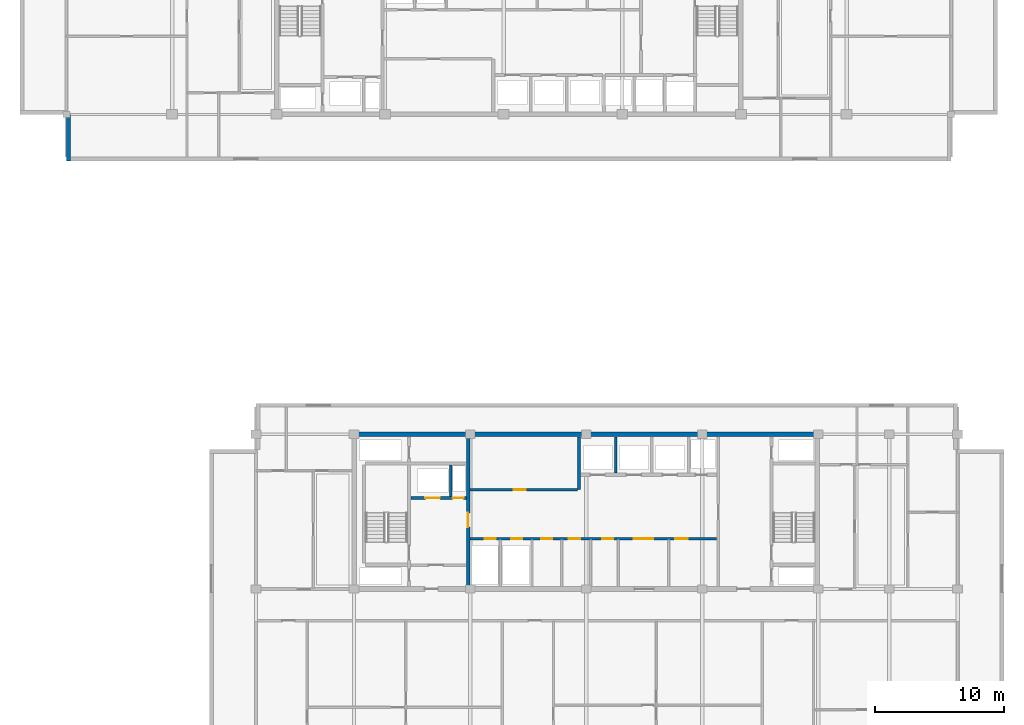
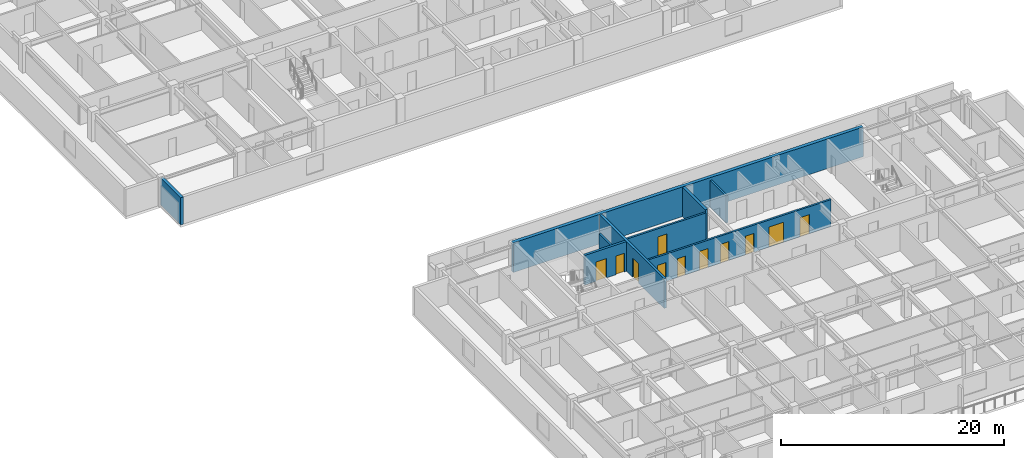
# One storey, part 7 of 24: 11 doors, 9 walls, 11 openings.
"""IFC4 building model written with IfcOpenShell, lengths in metres."""

from ifc_helpers import new_model, si_unit, direction, frame, frame_2d, origin, place, context, subcontext, project, spatial, rectangle, extrude, material, layer, layer_set, type_object, element, fill, save


model = new_model("IFC4")

# Units and contexts
model_context = context("Model", 3, precision=1e-05, world=origin(), true_north=direction((0.0, 1.0)))
body_context = subcontext(model_context, "Body", "Model", "MODEL_VIEW")
ifc_project = project(units=[si_unit("LENGTHUNIT", "METRE"), si_unit("AREAUNIT", "SQUARE_METRE"), si_unit("VOLUMEUNIT", "CUBIC_METRE"), si_unit("PLANEANGLEUNIT", "RADIAN"), si_unit("MASSUNIT", "GRAM", prefix="KILO")], contexts=[model_context])

# Site, building, storey
site_placement = place(None, origin())
site = spatial("IfcSite", under=ifc_project, at=site_placement, CompositionType="ELEMENT")
building_placement = place(site_placement, origin())
building = spatial("IfcBuilding", under=site, at=building_placement, Name="Korimba Cascade Residences", CompositionType="ELEMENT")
storey_placement = place(building_placement, frame((0.0, 0.0, 168.60009765625)))
storey = spatial("IfcBuildingStorey", under=building, at=storey_placement, Name="L48", CompositionType="ELEMENT", Elevation=168.60009765625)

# Walls
ifc_material_1 = material(Name="Precast concrete C40/50", Category="concrete")
ifc_layer_1 = layer(ifc_material_1, 0.300048828125)
ifc_layer_set_1 = layer_set([ifc_layer_1], Name="Precast concrete C40/50")
wall_type_1 = type_object("IfcWallType", Name="EW-STONE-300", PredefinedType="STANDARD", material=ifc_layer_set_1)
wall_1_placement = place(storey_placement, frame((59.949951171875, 55.199951171875, 0.0), z_axis=(0.0, 0.0, 1.0), x_axis=(0.0, -1.0, 0.0)))
element("IfcWall", 1, at=wall_1_placement, inside=storey, type_object=wall_type_1, Name="L48 T1 Perimeter Stone Wall E11", PredefinedType="STANDARD", context=body_context, shape_type="SweptSolid", body=[
    extrude(rectangle(XDim=3.599853515625, YDim=0.300048828125, at=frame_2d((1.7998046875, 0.0))), origin(), (0.0, 0.0, 1.0), 2.969970703125),
])
ifc_material_2 = material(Name="Concrete C65/80", Category="concrete")
ifc_layer_2 = layer(ifc_material_2, 0.35009765625)
ifc_layer_set_2 = layer_set([ifc_layer_2], Name="Concrete C65/80")
wall_type_2 = type_object("IfcWallType", Name="WAL-CORE-350", PredefinedType="SHEAR", material=ifc_layer_set_2)
wall_2_placement = place(storey_placement, frame((81.925048828125, 30.39990234375, 0.0), z_axis=(0.0, 0.0, 1.0), x_axis=(1.0, 0.0, 0.0)))
element("IfcWall", 2, at=wall_2_placement, inside=storey, type_object=wall_type_2, Name="L48 Core Shear Wall CW-L48-T2-N", PredefinedType="SHEAR", context=body_context, shape_type="SweptSolid", body=[
    extrude(rectangle(XDim=36.264892578125, YDim=0.35009765625, at=frame_2d((18.13232421875, 0.0))), origin(), (0.0, 0.0, 1.0), 3.25),
])
ifc_material_3 = material(Name="Concrete C40/50", Category="concrete")
ifc_layer_3 = layer(ifc_material_3, 0.199951171875)
ifc_layer_set_3 = layer_set([ifc_layer_3], Name="Concrete C40/50")
wall_type_3 = type_object("IfcWallType", Name="WAL-PART-200", PredefinedType="PARTITIONING", material=ifc_layer_set_3)
wall_3_placement = place(storey_placement, frame((89.60009765625, 25.580078125, 0.0), z_axis=(0.0, 0.0, 1.0), x_axis=(0.0, 1.0, 0.0)))
element("IfcWall", 3, at=wall_3_placement, inside=storey, type_object=wall_type_3, Name="L48 Partition Wall CW-L48-T2-FFLDIV", PredefinedType="PARTITIONING", context=body_context, shape_type="SweptSolid", body=[
    extrude(rectangle(XDim=2.419921875, YDim=0.199951171875, at=frame_2d((1.2099609375, 0.0))), origin(), (0.0, 0.0, 1.0), 2.969970703125),
])

# Wall, opening, door
wall_4_placement = place(storey_placement, frame((91.080078125, 26.10009765625, 0.0), z_axis=(0.0, 0.0, 1.0), x_axis=(1.0, 0.0, 0.0)))
wall_4 = element("IfcWall", 4, at=wall_4_placement, inside=storey, type_object=wall_type_3, Name="L48 Partition Wall CW-L48-T2-B1RS", PredefinedType="PARTITIONING", context=body_context, shape_type="SweptSolid", body=[
    extrude(rectangle(XDim=8.33984375, YDim=0.199951171875, at=frame_2d((4.169921875, 0.0))), origin(), (0.0, 0.0, 1.0), 2.969970703125),
])
opening_1_placement = place(wall_4_placement, frame((3.39990234375, 0.0, 0.0)))
opening_1 = element("IfcOpeningElement", 5, at=opening_1_placement, cuts=wall_4, Name="Opening D-ST1", PredefinedType="OPENING", context=body_context, shape_type="SweptSolid", body=[
    extrude(rectangle(XDim=0.919921875, YDim=2.080078125, at=frame_2d((0.4599609375, 1.0400390625))), frame((0.0, 0.10986328125, 0.0), z_axis=(0.0, -1.0, 0.0), x_axis=(1.0, 0.0, 0.0)), (0.0, 0.0, 1.0), 0.219970703125),
])
ifc_material_4 = material(Name="Fire-Rated Core Store Door", Category="wood")
door_type_1 = type_object("IfcDoorType", Name="DR-FD60-920", OperationType="NOTDEFINED", PredefinedType="DOOR", material=ifc_material_4)
door_1_placement = place(opening_1_placement, origin())
door_1 = element("IfcDoor", 6, at=door_1_placement, inside=storey, type_object=door_type_1, Name="L48 T2 Resident Storage Door", OperationType="SINGLE_SWING_RIGHT", OverallHeight=2.080078125, OverallWidth=0.919921875, PredefinedType="DOOR", context=body_context, shape_type="SweptSolid", body=[
    extrude(rectangle(XDim=0.919921875, YDim=2.080078125, at=frame_2d((0.4599609375, 1.0400390625))), frame((0.0, 0.02490234375, 0.0), z_axis=(0.0, -1.0, 0.0), x_axis=(1.0, 0.0, 0.0)), (0.0, 0.0, 1.0), 0.050048828125),
])
fill(opening_1, door_1)

# Wall
wall_5_placement = place(storey_placement, frame((102.39990234375, 27.3798828125, 0.0), z_axis=(0.0, 0.0, 1.0), x_axis=(0.0, 1.0, 0.0)))
element("IfcWall", 7, at=wall_5_placement, inside=storey, type_object=wall_type_3, Name="L48 Partition Wall CW-L48-T2-B2D1", PredefinedType="PARTITIONING", context=body_context, shape_type="SweptSolid", body=[
    extrude(rectangle(XDim=2.820068359375, YDim=0.199951171875, at=frame_2d((1.41015625, 0.0))), origin(), (0.0, 0.0, 1.0), 2.969970703125),
])

# Wall, openings, doors
wall_6_placement = place(storey_placement, frame((91.080078125, 22.300048828125, 0.0), z_axis=(0.0, 0.0, 1.0), x_axis=(1.0, 0.0, 0.0)))
wall_6 = element("IfcWall", 8, at=wall_6_placement, inside=storey, type_object=wall_type_3, Name="L48 Partition Wall CW-L48-T2-SRVROW", PredefinedType="PARTITIONING", context=body_context, shape_type="SweptSolid", body=[
    extrude(rectangle(XDim=19.139892578125, YDim=0.199951171875, at=frame_2d((9.56982421875, 0.0))), origin(), (0.0, 0.0, 1.0), 2.969970703125),
])
opening_2_placement = place(wall_6_placement, frame((1.14990234375, 0.0, 0.0)))
opening_2 = element("IfcOpeningElement", 9, at=opening_2_placement, cuts=wall_6, Name="Opening D-RS1", PredefinedType="OPENING", context=body_context, shape_type="SweptSolid", body=[
    extrude(rectangle(XDim=0.85009765625, YDim=2.050048828125, at=frame_2d((0.425048828125, 1.02490234375))), frame((0.0, 0.10986328125, 0.0), z_axis=(0.0, -1.0, 0.0), x_axis=(1.0, 0.0, 0.0)), (0.0, 0.0, 1.0), 0.219970703125),
])
opening_3_placement = place(wall_6_placement, frame((3.199951171875, 0.0, 0.0)))
opening_3 = element("IfcOpeningElement", 10, at=opening_3_placement, cuts=wall_6, Name="Opening D-RS1", PredefinedType="OPENING", context=body_context, shape_type="SweptSolid", body=[
    extrude(rectangle(XDim=0.85009765625, YDim=2.050048828125, at=frame_2d((0.425048828125, 1.02490234375))), frame((0.0, 0.10986328125, 0.0), z_axis=(0.0, -1.0, 0.0), x_axis=(1.0, 0.0, 0.0)), (0.0, 0.0, 1.0), 0.219970703125),
])
opening_4_placement = place(wall_6_placement, frame((12.719970703125, 0.0, 0.0)))
opening_4 = element("IfcOpeningElement", 11, at=opening_4_placement, cuts=wall_6, Name="Opening D-FD8", PredefinedType="OPENING", context=body_context, shape_type="SweptSolid", body=[
    extrude(rectangle(XDim=1.5, YDim=2.199951171875, at=frame_2d((0.75, 1.10009765625))), frame((0.0, 0.10986328125, 0.0), z_axis=(0.0, -1.0, 0.0), x_axis=(1.0, 0.0, 0.0)), (0.0, 0.0, 1.0), 0.219970703125),
])
opening_5_placement = place(wall_6_placement, frame((5.52001953125, 0.0, 0.0)))
opening_5 = element("IfcOpeningElement", 12, at=opening_5_placement, cuts=wall_6, Name="Opening D-IN2", PredefinedType="OPENING", context=body_context, shape_type="SweptSolid", body=[
    extrude(rectangle(XDim=0.8798828125, YDim=2.06005859375, at=frame_2d((0.43994140625, 1.030029296875))), frame((0.0, 0.10986328125, 0.0), z_axis=(0.0, -1.0, 0.0), x_axis=(1.0, 0.0, 0.0)), (0.0, 0.0, 1.0), 0.219970703125),
])
opening_6_placement = place(wall_6_placement, frame((7.669921875, 0.0, 0.0)))
opening_6 = element("IfcOpeningElement", 13, at=opening_6_placement, cuts=wall_6, Name="Opening D-IN2", PredefinedType="OPENING", context=body_context, shape_type="SweptSolid", body=[
    extrude(rectangle(XDim=0.8798828125, YDim=2.06005859375, at=frame_2d((0.43994140625, 1.030029296875))), frame((0.0, 0.10986328125, 0.0), z_axis=(0.0, -1.0, 0.0), x_axis=(1.0, 0.0, 0.0)), (0.0, 0.0, 1.0), 0.219970703125),
])
opening_7_placement = place(wall_6_placement, frame((10.27001953125, 0.0, 0.0)))
opening_7 = element("IfcOpeningElement", 14, at=opening_7_placement, cuts=wall_6, Name="Opening D-RS1", PredefinedType="OPENING", context=body_context, shape_type="SweptSolid", body=[
    extrude(rectangle(XDim=0.85009765625, YDim=2.050048828125, at=frame_2d((0.425048828125, 1.02490234375))), frame((0.0, 0.10986328125, 0.0), z_axis=(0.0, -1.0, 0.0), x_axis=(1.0, 0.0, 0.0)), (0.0, 0.0, 1.0), 0.219970703125),
])
opening_8_placement = place(wall_6_placement, frame((15.919921875, 0.0, 0.0)))
opening_8 = element("IfcOpeningElement", 15, at=opening_8_placement, cuts=wall_6, Name="Opening D-AC1", PredefinedType="OPENING", context=body_context, shape_type="SweptSolid", body=[
    extrude(rectangle(XDim=0.9599609375, YDim=2.10009765625, at=frame_2d((0.47998046875, 1.050048828125))), frame((0.0, 0.10986328125, 0.0), z_axis=(0.0, -1.0, 0.0), x_axis=(1.0, 0.0, 0.0)), (0.0, 0.0, 1.0), 0.219970703125),
])
ifc_material_5 = material(Name="Accessible Acoustic Timber WC Door", Category="wood")
door_type_2 = type_object("IfcDoorType", Name="DR-ACC-950", OperationType="NOTDEFINED", PredefinedType="DOOR", material=ifc_material_5)
door_2_placement = place(opening_8_placement, origin())
door_2 = element("IfcDoor", 16, at=door_2_placement, inside=storey, type_object=door_type_2, Name="L48 T2 Accessible Staff WC Door", OperationType="SINGLE_SWING_LEFT", OverallHeight=2.10009765625, OverallWidth=0.9599609375, PredefinedType="DOOR", context=body_context, shape_type="SweptSolid", body=[
    extrude(rectangle(XDim=0.9599609375, YDim=2.10009765625, at=frame_2d((0.47998046875, 1.050048828125))), frame((0.0, 0.02490234375, 0.0), z_axis=(0.0, -1.0, 0.0), x_axis=(1.0, 0.0, 0.0)), (0.0, 0.0, 1.0), 0.050048828125),
])
fill(opening_8, door_2)
ifc_material_6 = material(Name="Fire-Rated Steel Riser Access Door", Category="steel")
door_type_3 = type_object("IfcDoorType", Name="DR-FD60-850", OperationType="NOTDEFINED", PredefinedType="DOOR", material=ifc_material_6)
door_3_placement = place(opening_2_placement, origin())
door_3 = element("IfcDoor", 17, at=door_3_placement, inside=storey, type_object=door_type_3, Name="L48 T2 Electrical Riser Door", OperationType="SINGLE_SWING_RIGHT", OverallHeight=2.050048828125, OverallWidth=0.85009765625, PredefinedType="DOOR", context=body_context, shape_type="SweptSolid", body=[
    extrude(rectangle(XDim=0.85009765625, YDim=2.050048828125, at=frame_2d((0.425048828125, 1.02490234375))), frame((0.0, 0.02490234375, 0.0), z_axis=(0.0, -1.0, 0.0), x_axis=(1.0, 0.0, 0.0)), (0.0, 0.0, 1.0), 0.050048828125),
])
fill(opening_2, door_3)
door_4_placement = place(opening_3_placement, origin())
door_4 = element("IfcDoor", 18, at=door_4_placement, inside=storey, type_object=door_type_3, Name="L48 T2 Plumbing Riser Door", OperationType="SINGLE_SWING_LEFT", OverallHeight=2.050048828125, OverallWidth=0.85009765625, PredefinedType="DOOR", context=body_context, shape_type="SweptSolid", body=[
    extrude(rectangle(XDim=0.85009765625, YDim=2.050048828125, at=frame_2d((0.425048828125, 1.02490234375))), frame((0.0, 0.02490234375, 0.0), z_axis=(0.0, -1.0, 0.0), x_axis=(1.0, 0.0, 0.0)), (0.0, 0.0, 1.0), 0.050048828125),
])
fill(opening_3, door_4)
door_5_placement = place(opening_7_placement, origin())
door_5 = element("IfcDoor", 19, at=door_5_placement, inside=storey, type_object=door_type_3, Name="L48 T2 IT Room Door", OperationType="SINGLE_SWING_RIGHT", OverallHeight=2.050048828125, OverallWidth=0.85009765625, PredefinedType="DOOR", context=body_context, shape_type="SweptSolid", body=[
    extrude(rectangle(XDim=0.85009765625, YDim=2.050048828125, at=frame_2d((0.425048828125, 1.02490234375))), frame((0.0, 0.02490234375, 0.0), z_axis=(0.0, -1.0, 0.0), x_axis=(1.0, 0.0, 0.0)), (0.0, 0.0, 1.0), 0.050048828125),
])
fill(opening_7, door_5)
ifc_material_7 = material(Name="Fire-Rated Glazed Lift Lobby Double Door", Category="glass")
door_type_4 = type_object("IfcDoorType", Name="DR-FD90-1500", OperationType="NOTDEFINED", PredefinedType="DOOR", material=ifc_material_7)
door_6_placement = place(opening_4_placement, origin())
door_6 = element("IfcDoor", 20, at=door_6_placement, inside=storey, type_object=door_type_4, Name="L48 T2 Lift Lobby Foyer Door", OperationType="DOUBLE_DOOR_SINGLE_SWING", OverallHeight=2.199951171875, OverallWidth=1.5, PredefinedType="DOOR", context=body_context, shape_type="SweptSolid", body=[
    extrude(rectangle(XDim=1.5, YDim=2.199951171875, at=frame_2d((0.75, 1.10009765625))), frame((0.0, 0.02490234375, 0.0), z_axis=(0.0, -1.0, 0.0), x_axis=(1.0, 0.0, 0.0)), (0.0, 0.0, 1.0), 0.050048828125),
])
fill(opening_4, door_6)
ifc_material_8 = material(Name="Acoustic Timber Bedroom Door", Category="wood")
door_type_5 = type_object("IfcDoorType", Name="DR-INT-880", OperationType="NOTDEFINED", PredefinedType="DOOR", material=ifc_material_8)
door_7_placement = place(opening_5_placement, origin())
door_7 = element("IfcDoor", 21, at=door_7_placement, inside=storey, type_object=door_type_5, Name="L48 T2 Cleaners Door", OperationType="SINGLE_SWING_RIGHT", OverallHeight=2.06005859375, OverallWidth=0.8798828125, PredefinedType="DOOR", context=body_context, shape_type="SweptSolid", body=[
    extrude(rectangle(XDim=0.8798828125, YDim=2.06005859375, at=frame_2d((0.43994140625, 1.030029296875))), frame((0.0, 0.02490234375, 0.0), z_axis=(0.0, -1.0, 0.0), x_axis=(1.0, 0.0, 0.0)), (0.0, 0.0, 1.0), 0.050048828125),
])
fill(opening_5, door_7)
door_8_placement = place(opening_6_placement, origin())
door_8 = element("IfcDoor", 22, at=door_8_placement, inside=storey, type_object=door_type_5, Name="L48 T2 Pantry Door", OperationType="SINGLE_SWING_LEFT", OverallHeight=2.06005859375, OverallWidth=0.8798828125, PredefinedType="DOOR", context=body_context, shape_type="SweptSolid", body=[
    extrude(rectangle(XDim=0.8798828125, YDim=2.06005859375, at=frame_2d((0.43994140625, 1.030029296875))), frame((0.0, 0.02490234375, 0.0), z_axis=(0.0, -1.0, 0.0), x_axis=(1.0, 0.0, 0.0)), (0.0, 0.0, 1.0), 0.050048828125),
])
fill(opening_6, door_8)

ifc_material_9 = material(Name="Concrete C50/60", Category="concrete")
ifc_layer_4 = layer(ifc_material_9, 0.25)
ifc_layer_set_4 = layer_set([ifc_layer_4], Name="Concrete C50/60")
wall_type_4 = type_object("IfcWallType", Name="WAL-SHAFT-250", PredefinedType="SHEAR", material=ifc_layer_set_4)
wall_7_placement = place(storey_placement, frame((86.5, 25.449951171875, 0.0), z_axis=(0.0, 0.0, 1.0), x_axis=(1.0, 0.0, 0.0)))
wall_7 = element("IfcWall", 23, at=wall_7_placement, inside=storey, type_object=wall_type_4, Name="L48 Core Shear Wall CW-L48-T2-FFLN", PredefinedType="SHEAR", context=body_context, shape_type="SweptSolid", body=[
    extrude(rectangle(XDim=4.320068359375, YDim=0.25, at=frame_2d((2.16015625, 0.0))), origin(), (0.0, 0.0, 1.0), 3.25),
])
opening_9_placement = place(wall_7_placement, frame((1.139892578125, 0.0, 0.0)))
opening_9 = element("IfcOpeningElement", 24, at=opening_9_placement, cuts=wall_7, Name="Opening LD-01", PredefinedType="OPENING", context=body_context, shape_type="SweptSolid", body=[
    extrude(rectangle(XDim=1.1201171875, YDim=2.1201171875, at=frame_2d((0.56005859375, 1.06005859375))), frame((0.0, 0.135009765625, 0.0), z_axis=(0.0, -1.0, 0.0), x_axis=(1.0, 0.0, 0.0)), (0.0, 0.0, 1.0), 0.27001953125),
])
opening_10_placement = place(wall_7_placement, frame((3.25, 0.0, 0.0)))
opening_10 = element("IfcOpeningElement", 25, at=opening_10_placement, cuts=wall_7, Name="Opening D-RS1", PredefinedType="OPENING", context=body_context, shape_type="SweptSolid", body=[
    extrude(rectangle(XDim=0.85009765625, YDim=2.050048828125, at=frame_2d((0.425048828125, 1.02490234375))), frame((0.0, 0.135009765625, 0.0), z_axis=(0.0, -1.0, 0.0), x_axis=(1.0, 0.0, 0.0)), (0.0, 0.0, 1.0), 0.27001953125),
])
door_9_placement = place(opening_10_placement, origin())
door_9 = element("IfcDoor", 26, at=door_9_placement, inside=storey, type_object=door_type_3, Name="L48 T2 Pressurisation Riser Door", OperationType="SINGLE_SWING_LEFT", OverallHeight=2.050048828125, OverallWidth=0.85009765625, PredefinedType="DOOR", context=body_context, shape_type="SweptSolid", body=[
    extrude(rectangle(XDim=0.85009765625, YDim=2.050048828125, at=frame_2d((0.425048828125, 1.02490234375))), frame((0.0, 0.02490234375, 0.0), z_axis=(0.0, -1.0, 0.0), x_axis=(1.0, 0.0, 0.0)), (0.0, 0.0, 1.0), 0.050048828125),
])
fill(opening_10, door_9)
ifc_material_10 = material(Name="Stainless Steel Lift Landing Sliding Door", Category="steel")
door_type_6 = type_object("IfcDoorType", Name="DR-LIFT-1100", OperationType="NOTDEFINED", PredefinedType="DOOR", material=ifc_material_10)
door_10_placement = place(opening_9_placement, origin())
door_10 = element("IfcDoor", 27, at=door_10_placement, inside=storey, type_object=door_type_6, Name="L48 Firefighting Lift Landing Door FFL-E1", OperationType="SLIDING_TO_RIGHT", OverallHeight=2.1201171875, OverallWidth=1.1201171875, PredefinedType="DOOR", context=body_context, shape_type="SweptSolid", body=[
    extrude(rectangle(XDim=1.1201171875, YDim=2.1201171875, at=frame_2d((0.56005859375, 1.06005859375))), frame((0.0, 0.02490234375, 0.0), z_axis=(0.0, -1.0, 0.0), x_axis=(1.0, 0.0, 0.0)), (0.0, 0.0, 1.0), 0.050048828125),
])
fill(opening_9, door_10)

# Wall, opening, door
wall_8_placement = place(storey_placement, frame((90.949951171875, 18.60009765625, 0.0), z_axis=(0.0, 0.0, 1.0), x_axis=(0.0, 1.0, 0.0)))
wall_8 = element("IfcWall", 28, at=wall_8_placement, inside=storey, type_object=wall_type_4, Name="L48 Core Shear Wall CW-L48-T2-FFLE", PredefinedType="SHEAR", context=body_context, shape_type="SweptSolid", body=[
    extrude(rectangle(XDim=11.599853515625, YDim=0.25, at=frame_2d((5.7998046875, 0.0))), origin(), (0.0, 0.0, 1.0), 3.25),
])
opening_11_placement = place(wall_8_placement, frame((4.60009765625, 0.0, 0.0)))
opening_11 = element("IfcOpeningElement", 29, at=opening_11_placement, cuts=wall_8, Name="Opening D-FD1", PredefinedType="OPENING", context=body_context, shape_type="SweptSolid", body=[
    extrude(rectangle(XDim=1.10009765625, YDim=2.10009765625, at=frame_2d((0.550048828125, 1.050048828125))), frame((0.0, 0.135009765625, 0.0), z_axis=(0.0, -1.0, 0.0), x_axis=(1.0, 0.0, 0.0)), (0.0, 0.0, 1.0), 0.27001953125),
])
ifc_material_11 = material(Name="Fire-Rated Steel Core Door", Category="steel")
door_type_7 = type_object("IfcDoorType", Name="DR-FD120-1100", OperationType="NOTDEFINED", PredefinedType="DOOR", material=ifc_material_11)
door_11_placement = place(opening_11_placement, origin())
door_11 = element("IfcDoor", 30, at=door_11_placement, inside=storey, type_object=door_type_7, Name="L48 T2 Firefighting Lobby to Lift Lobby Door", OperationType="SINGLE_SWING_LEFT", OverallHeight=2.10009765625, OverallWidth=1.10009765625, PredefinedType="DOOR", context=body_context, shape_type="SweptSolid", body=[
    extrude(rectangle(XDim=1.10009765625, YDim=2.10009765625, at=frame_2d((0.550048828125, 1.050048828125))), frame((0.0, 0.02490234375, 0.0), z_axis=(0.0, -1.0, 0.0), x_axis=(1.0, 0.0, 0.0)), (0.0, 0.0, 1.0), 0.050048828125),
])
fill(opening_11, door_11)

# Wall
wall_9_placement = place(storey_placement, frame((99.550048828125, 26.10009765625, 0.0), z_axis=(0.0, 0.0, 1.0), x_axis=(0.0, 1.0, 0.0)))
element("IfcWall", 31, at=wall_9_placement, inside=storey, type_object=wall_type_4, Name="L48 Core Shear Wall CW-L48-T2-B12DIV", PredefinedType="SHEAR", context=body_context, shape_type="SweptSolid", body=[
    extrude(rectangle(XDim=4.099853515625, YDim=0.25, at=frame_2d((2.0498046875, 0.0))), origin(), (0.0, 0.0, 1.0), 3.25),
])

save(model, "model.ifc")
